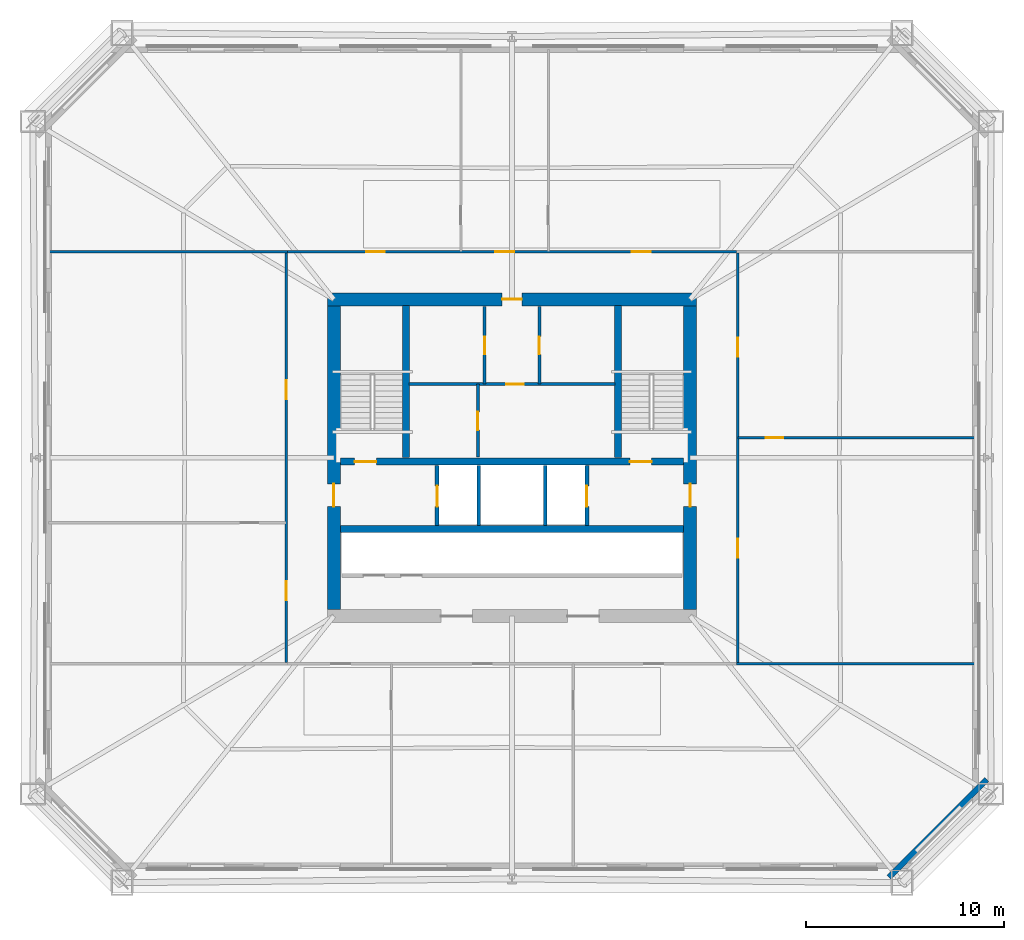
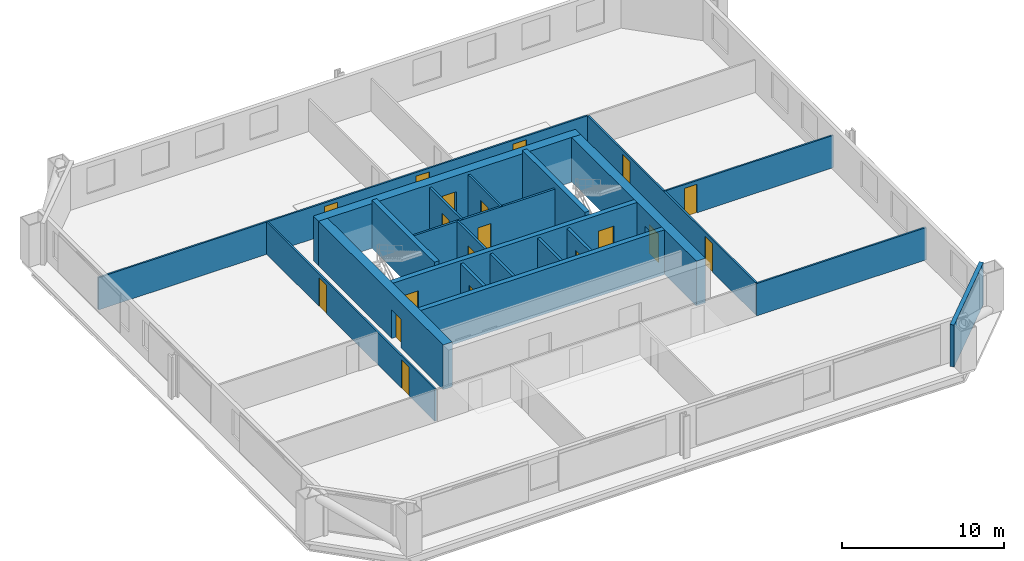
# One storey, part 3 of 7: 22 walls, 19 doors, 19 openings.
"""IFC4 building model written with IfcOpenShell, lengths in metres."""

from ifc_helpers import new_model, si_unit, direction, frame, frame_2d, origin, place, context, subcontext, project, spatial, rectangle, extrude, material, layer, layer_set, type_object, element, fill, save


model = new_model("IFC4")

# Units and contexts
model_context = context("Model", 3, precision=1e-05, world=origin(), true_north=direction((0.0, 1.0)))
body_context = subcontext(model_context, "Body", "Model", "MODEL_VIEW")
ifc_project = project(units=[si_unit("LENGTHUNIT", "METRE"), si_unit("AREAUNIT", "SQUARE_METRE"), si_unit("VOLUMEUNIT", "CUBIC_METRE"), si_unit("PLANEANGLEUNIT", "RADIAN"), si_unit("MASSUNIT", "GRAM", prefix="KILO")], contexts=[model_context])

# Site, building, storey
site_placement = place(None, origin())
site = spatial("IfcSite", under=ifc_project, at=site_placement, CompositionType="ELEMENT")
building_placement = place(site_placement, origin())
building = spatial("IfcBuilding", under=site, at=building_placement, Name="Caelvoria Tower", CompositionType="ELEMENT")
storey_placement = place(building_placement, frame((0.0, 0.0, 31.60009765625)))
storey = spatial("IfcBuildingStorey", under=building, at=storey_placement, Name="L07", CompositionType="ELEMENT", Elevation=31.60009765625)

# Wall, openings, doors
ifc_material_1 = material(Name="Concrete C50/60", Category="concrete")
ifc_layer_1 = layer(ifc_material_1, 0.35009765625, Name="Concrete C50/60")
ifc_layer_set_1 = layer_set([ifc_layer_1], Name="Core Internal Shear Wall 350 - Concrete C50/60")
wall_type_1 = type_object("IfcWallType", Name="Core Internal Shear Wall 350", PredefinedType="SHEAR", material=ifc_layer_set_1)
wall_1_placement = place(storey_placement, frame((37.324951171875, 31.800048828125, 0.0), z_axis=(0.0, 0.0, 1.0), x_axis=(1.0, 0.0, 0.0)))
wall_1 = element("IfcWall", 1, at=wall_1_placement, inside=storey, type_object=wall_type_1, Name="Core Shear Wall L07 M1", PredefinedType="SHEAR", context=body_context, shape_type="SweptSolid", body=[
    extrude(rectangle(XDim=17.35009765625, YDim=0.35009765625, at=frame_2d((8.675048828125, 0.0))), origin(), (0.0, 0.0, 1.0), 3.35986328125),
])
opening_1_placement = place(wall_1_placement, frame((0.72509765625, 0.0, 0.0)))
opening_1 = element("IfcOpeningElement", 2, at=opening_1_placement, cuts=wall_1, Name="Opening ID-01", PredefinedType="OPENING", context=body_context, shape_type="SweptSolid", body=[
    extrude(rectangle(XDim=1.10009765625, YDim=2.14990234375, at=frame_2d((0.550048828125, 1.074951171875))), frame((0.0, 0.18505859375, 0.0), z_axis=(0.0, -1.0, 0.0), x_axis=(1.0, 0.0, 0.0)), (0.0, 0.0, 1.0), 0.3701171875),
])
opening_2_placement = place(wall_1_placement, frame((14.625, 0.0, 0.0)))
opening_2 = element("IfcOpeningElement", 3, at=opening_2_placement, cuts=wall_1, Name="Opening ID-01", PredefinedType="OPENING", context=body_context, shape_type="SweptSolid", body=[
    extrude(rectangle(XDim=1.10009765625, YDim=2.14990234375, at=frame_2d((0.550048828125, 1.074951171875))), frame((0.0, 0.18505859375, 0.0), z_axis=(0.0, -1.0, 0.0), x_axis=(1.0, 0.0, 0.0)), (0.0, 0.0, 1.0), 0.3701171875),
])
ifc_material_2 = material(Name="Painted Hollow Steel Fire Door", Category="steel")
door_type_1 = type_object("IfcDoorType", Name="Fire Door FD90S 1100x2150", OperationType="NOTDEFINED", PredefinedType="DOOR", material=ifc_material_2)
door_1_placement = place(opening_1_placement, origin())
door_1 = element("IfcDoor", 4, at=door_1_placement, inside=storey, type_object=door_type_1, Name="Core Door DR-L07-ST1", OperationType="SINGLE_SWING_LEFT", OverallHeight=2.14990234375, OverallWidth=1.10009765625, PredefinedType="DOOR", context=body_context, shape_type="SweptSolid", body=[
    extrude(rectangle(XDim=1.10009765625, YDim=2.14990234375, at=frame_2d((0.550048828125, 1.074951171875))), frame((0.0, 0.02490234375, 0.0), z_axis=(0.0, -1.0, 0.0), x_axis=(1.0, 0.0, 0.0)), (0.0, 0.0, 1.0), 0.050048828125),
])
fill(opening_1, door_1)
door_2_placement = place(opening_2_placement, origin())
door_2 = element("IfcDoor", 5, at=door_2_placement, inside=storey, type_object=door_type_1, Name="Core Door DR-L07-ST2", OperationType="SINGLE_SWING_RIGHT", OverallHeight=2.14990234375, OverallWidth=1.10009765625, PredefinedType="DOOR", context=body_context, shape_type="SweptSolid", body=[
    extrude(rectangle(XDim=1.10009765625, YDim=2.14990234375, at=frame_2d((0.550048828125, 1.074951171875))), frame((0.0, 0.02490234375, 0.0), z_axis=(0.0, -1.0, 0.0), x_axis=(1.0, 0.0, 0.0)), (0.0, 0.0, 1.0), 0.050048828125),
])
fill(opening_2, door_2)

# Walls
wall_2_placement = place(storey_placement, frame((37.324951171875, 28.39990234375, 0.0), z_axis=(0.0, 0.0, 1.0), x_axis=(1.0, 0.0, 0.0)))
element("IfcWall", 6, at=wall_2_placement, inside=storey, type_object=wall_type_1, Name="Core Shear Wall L07 M2", PredefinedType="SHEAR", context=body_context, shape_type="SweptSolid", body=[
    extrude(rectangle(XDim=17.35009765625, YDim=0.35009765625, at=frame_2d((8.675048828125, 0.0))), origin(), (0.0, 0.0, 1.0), 3.35986328125),
])
for number, where, z_axis, x_axis, name in (
    (7, (40.64990234375, 32.0, 0.0), (0.0, 0.0, 1.0), (0.0, 1.0, 0.0), "Interior Partition IW-L07-ST1E"),
    (8, (51.35009765625, 32.0, 0.0), (0.0, 0.0, 1.0), (0.0, 1.0, 0.0), "Interior Partition IW-L07-ST2W"),
):
    element("IfcWall", number, at=place(storey_placement, frame(where, z_axis=z_axis, x_axis=x_axis)), inside=storey, type_object=wall_type_1, Name=name, PredefinedType="SHEAR", context=body_context, shape_type="SweptSolid", body=[
        extrude(rectangle(XDim=7.699951171875, YDim=0.35009765625, at=frame_2d((3.85009765625, 0.0))), origin(), (0.0, 0.0, 1.0), 3.599853515625),
    ])

# Wall, opening, door
ifc_material_3 = material(Name="Double Gypsum Board on Steel Stud", Category="steel")
ifc_layer_2 = layer(ifc_material_3, 0.14990234375, Name="Double Gypsum Board on Steel Stud")
ifc_layer_set_2 = layer_set([ifc_layer_2], Name="Core Service Acoustic Partition Wall 150 - Double Gypsum Board on Steel Stud")
wall_type_2 = type_object("IfcWallType", Name="Core Service Acoustic Partition Wall 150", PredefinedType="PARTITIONING", material=ifc_layer_set_2)
wall_3_placement = place(storey_placement, frame((44.6201171875, 35.719970703125, 0.0), z_axis=(0.0, 0.0, 1.0), x_axis=(0.0, 1.0, 0.0)))
wall_3 = element("IfcWall", 9, at=wall_3_placement, inside=storey, type_object=wall_type_2, Name="Interior Partition IW-L07-C0L", PredefinedType="PARTITIONING", context=body_context, shape_type="SweptSolid", body=[
    extrude(rectangle(XDim=3.929931640625, YDim=0.14990234375, at=frame_2d((1.96484375, 0.0))), origin(), (0.0, 0.0, 1.0), 3.14990234375),
])
opening_3_placement = place(wall_3_placement, frame((1.5, 0.0, 0.0)))
opening_3 = element("IfcOpeningElement", 10, at=opening_3_placement, cuts=wall_3, Name="Opening ID-06", PredefinedType="OPENING", context=body_context, shape_type="SweptSolid", body=[
    extrude(rectangle(XDim=0.89990234375, YDim=2.14990234375, at=frame_2d((0.449951171875, 1.074951171875))), frame((0.0, 0.0849609375, 0.0), z_axis=(0.0, -1.0, 0.0), x_axis=(1.0, 0.0, 0.0)), (0.0, 0.0, 1.0), 0.169921875),
])
ifc_material_4 = material(Name="Engineered Andean Oak Veneer Door", Category="wood")
door_type_2 = type_object("IfcDoorType", Name="Interior Timber Door 900x2150", OperationType="NOTDEFINED", PredefinedType="DOOR", material=ifc_material_4)
door_3_placement = place(opening_3_placement, origin())
door_3 = element("IfcDoor", 11, at=door_3_placement, inside=storey, type_object=door_type_2, Name="Interior Door DR-L07-C01", OperationType="SINGLE_SWING_LEFT", OverallHeight=2.14990234375, OverallWidth=0.89990234375, PredefinedType="DOOR", context=body_context, shape_type="SweptSolid", body=[
    extrude(rectangle(XDim=0.89990234375, YDim=2.14990234375, at=frame_2d((0.449951171875, 1.074951171875))), frame((0.0, 0.02490234375, 0.0), z_axis=(0.0, -1.0, 0.0), x_axis=(1.0, 0.0, 0.0)), (0.0, 0.0, 1.0), 0.050048828125),
])
fill(opening_3, door_3)

wall_4_placement = place(storey_placement, frame((47.3798828125, 35.719970703125, 0.0), z_axis=(0.0, 0.0, 1.0), x_axis=(0.0, 1.0, 0.0)))
wall_4 = element("IfcWall", 12, at=wall_4_placement, inside=storey, type_object=wall_type_2, Name="Interior Partition IW-L07-C0R", PredefinedType="PARTITIONING", context=body_context, shape_type="SweptSolid", body=[
    extrude(rectangle(XDim=3.929931640625, YDim=0.14990234375, at=frame_2d((1.96484375, 0.0))), origin(), (0.0, 0.0, 1.0), 3.14990234375),
])
opening_4_placement = place(wall_4_placement, frame((1.5, 0.0, 0.0)))
opening_4 = element("IfcOpeningElement", 13, at=opening_4_placement, cuts=wall_4, Name="Opening ID-06", PredefinedType="OPENING", context=body_context, shape_type="SweptSolid", body=[
    extrude(rectangle(XDim=0.89990234375, YDim=2.14990234375, at=frame_2d((0.449951171875, 1.074951171875))), frame((0.0, 0.0849609375, 0.0), z_axis=(0.0, -1.0, 0.0), x_axis=(1.0, 0.0, 0.0)), (0.0, 0.0, 1.0), 0.169921875),
])
door_4_placement = place(opening_4_placement, origin())
door_4 = element("IfcDoor", 14, at=door_4_placement, inside=storey, type_object=door_type_2, Name="Interior Door DR-L07-C02", OperationType="SINGLE_SWING_RIGHT", OverallHeight=2.14990234375, OverallWidth=0.89990234375, PredefinedType="DOOR", context=body_context, shape_type="SweptSolid", body=[
    extrude(rectangle(XDim=0.89990234375, YDim=2.14990234375, at=frame_2d((0.449951171875, 1.074951171875))), frame((0.0, 0.02490234375, 0.0), z_axis=(0.0, -1.0, 0.0), x_axis=(1.0, 0.0, 0.0)), (0.0, 0.0, 1.0), 0.050048828125),
])
fill(opening_4, door_4)

wall_5_placement = place(storey_placement, frame((44.280029296875, 32.050048828125, 0.0), z_axis=(0.0, 0.0, 1.0), x_axis=(0.0, 1.0, 0.0)))
wall_5 = element("IfcWall", 15, at=wall_5_placement, inside=storey, type_object=wall_type_2, Name="Interior Partition IW-L07-C0M", PredefinedType="PARTITIONING", context=body_context, shape_type="SweptSolid", body=[
    extrude(rectangle(XDim=3.669921875, YDim=0.14990234375, at=frame_2d((1.8349609375, 0.0))), origin(), (0.0, 0.0, 1.0), 3.14990234375),
])
opening_5_placement = place(wall_5_placement, frame((1.35009765625, 0.0, 0.0)))
opening_5 = element("IfcOpeningElement", 16, at=opening_5_placement, cuts=wall_5, Name="Opening ID-07", PredefinedType="OPENING", context=body_context, shape_type="SweptSolid", body=[
    extrude(rectangle(XDim=0.919921875, YDim=2.14990234375, at=frame_2d((0.4599609375, 1.074951171875))), frame((0.0, 0.0849609375, 0.0), z_axis=(0.0, -1.0, 0.0), x_axis=(1.0, 0.0, 0.0)), (0.0, 0.0, 1.0), 0.169921875),
])
ifc_material_5 = material(Name="Engineered Andean Oak Accessible Door", Category="wood")
door_type_3 = type_object("IfcDoorType", Name="Accessible WC Door 950x2150", OperationType="NOTDEFINED", PredefinedType="DOOR", material=ifc_material_5)
door_5_placement = place(opening_5_placement, origin())
door_5 = element("IfcDoor", 17, at=door_5_placement, inside=storey, type_object=door_type_3, Name="Interior Door DR-L07-C05", OperationType="SINGLE_SWING_LEFT", OverallHeight=2.14990234375, OverallWidth=0.919921875, PredefinedType="DOOR", context=body_context, shape_type="SweptSolid", body=[
    extrude(rectangle(XDim=0.919921875, YDim=2.14990234375, at=frame_2d((0.4599609375, 1.074951171875))), frame((0.0, 0.02490234375, 0.0), z_axis=(0.0, -1.0, 0.0), x_axis=(1.0, 0.0, 0.0)), (0.0, 0.0, 1.0), 0.050048828125),
])
fill(opening_5, door_5)

wall_6_placement = place(storey_placement, frame((40.800048828125, 35.719970703125, 0.0), z_axis=(0.0, 0.0, 1.0), x_axis=(1.0, 0.0, 0.0)))
wall_6 = element("IfcWall", 18, at=wall_6_placement, inside=storey, type_object=wall_type_2, Name="Interior Partition IW-L07-C0H", PredefinedType="PARTITIONING", context=body_context, shape_type="SweptSolid", body=[
    extrude(rectangle(XDim=10.39990234375, YDim=0.14990234375, at=frame_2d((5.199951171875, 0.0))), origin(), (0.0, 0.0, 1.0), 3.14990234375),
])
opening_6_placement = place(wall_6_placement, frame((4.89990234375, 0.0, 0.0)))
opening_6 = element("IfcOpeningElement", 19, at=opening_6_placement, cuts=wall_6, Name="Opening ID-04", PredefinedType="OPENING", context=body_context, shape_type="SweptSolid", body=[
    extrude(rectangle(XDim=0.89990234375, YDim=2.14990234375, at=frame_2d((0.449951171875, 1.074951171875))), frame((0.0, 0.0849609375, 0.0), z_axis=(0.0, -1.0, 0.0), x_axis=(1.0, 0.0, 0.0)), (0.0, 0.0, 1.0), 0.169921875),
])
ifc_material_6 = material(Name="Acoustic Timber Fire Door", Category="wood")
door_type_4 = type_object("IfcDoorType", Name="Fire Door FD30S 900x2150", OperationType="NOTDEFINED", PredefinedType="DOOR", material=ifc_material_6)
door_6_placement = place(opening_6_placement, origin())
door_6 = element("IfcDoor", 20, at=door_6_placement, inside=storey, type_object=door_type_4, Name="Interior Door DR-L07-C04", OperationType="SINGLE_SWING_RIGHT", OverallHeight=2.14990234375, OverallWidth=0.89990234375, PredefinedType="DOOR", context=body_context, shape_type="SweptSolid", body=[
    extrude(rectangle(XDim=0.89990234375, YDim=2.14990234375, at=frame_2d((0.449951171875, 1.074951171875))), frame((0.0, 0.02490234375, 0.0), z_axis=(0.0, -1.0, 0.0), x_axis=(1.0, 0.0, 0.0)), (0.0, 0.0, 1.0), 0.050048828125),
])
fill(opening_6, door_6)

# Walls
ifc_material_7 = material(Name="Precast Concrete C40/50 with Bronze Cladding", Category="concrete")
ifc_layer_3 = layer(ifc_material_7, 0.280029296875, Name="Precast Concrete C40/50 with Bronze Cladding")
ifc_layer_set_3 = layer_set([ifc_layer_3], Name="Exterior Precast Concrete C40/50 Bronze-Clad Facade Wall 280 - Precast Concrete C40/50 with Bronze Cladding")
wall_type_3 = type_object("IfcWallType", Name="Exterior Precast Concrete C40/50 Bronze-Clad Facade Wall 280", PredefinedType="STANDARD", material=ifc_layer_set_3)
wall_7_placement = place(storey_placement, frame((65.054443359375, 10.80615234375, 0.0), z_axis=(0.0, 0.0, 1.0), x_axis=(0.707106781187, 0.707106781187, 0.0)))
element("IfcWall", 21, at=wall_7_placement, inside=storey, type_object=wall_type_3, Name="Exterior Facade Wall L07-E1", PredefinedType="STANDARD", context=body_context, shape_type="SweptSolid", body=[
    extrude(rectangle(XDim=6.9853515625, YDim=0.280029296875, at=frame_2d((3.49267578125, 0.0))), origin(), (0.0, 0.0, 1.0), 3.14990234375),
])
ifc_material_8 = material(Name="Concrete Block and Fireboard Assembly", Category="concrete")
ifc_layer_4 = layer(ifc_material_8, 0.179931640625, Name="Concrete Block and Fireboard Assembly")
ifc_layer_set_4 = layer_set([ifc_layer_4], Name="Fire-Rated Hoistway Partition Wall 180 - Concrete Block and Fireboard Assembly")
wall_type_4 = type_object("IfcWallType", Name="Fire-Rated Hoistway Partition Wall 180", PredefinedType="PARTITIONING", material=ifc_layer_set_4)
for number, where, z_axis, x_axis, name in (
    (22, (44.320068359375, 28.580078125, 0.0), (0.0, 0.0, 1.0), (0.0, 1.0, 0.0), "Interior Partition IW-L07-SV1W"),
    (23, (47.679931640625, 28.580078125, 0.0), (0.0, 0.0, 1.0), (0.0, 1.0, 0.0), "Interior Partition IW-L07-SV1E"),
):
    element("IfcWall", number, at=place(storey_placement, frame(where, z_axis=z_axis, x_axis=x_axis)), inside=storey, type_object=wall_type_4, Name=name, PredefinedType="PARTITIONING", context=body_context, shape_type="SweptSolid", body=[
        extrude(rectangle(XDim=3.0400390625, YDim=0.179931640625, at=frame_2d((1.52001953125, 0.0))), origin(), (0.0, 0.0, 1.0), 3.14990234375),
    ])

# Wall, opening, door
ifc_layer_5 = layer(ifc_material_8, 0.199951171875, Name="Concrete Block and Fireboard Assembly")
ifc_layer_set_5 = layer_set([ifc_layer_5], Name="Fire-Rated Shaft and Core Partition Wall 200 - Concrete Block and Fireboard Assembly")
wall_type_5 = type_object("IfcWallType", Name="Fire-Rated Shaft and Core Partition Wall 200", PredefinedType="PARTITIONING", material=ifc_layer_set_5)
wall_8_placement = place(storey_placement, frame((42.219970703125, 28.580078125, 0.0), z_axis=(0.0, 0.0, 1.0), x_axis=(0.0, 1.0, 0.0)))
wall_8 = element("IfcWall", 24, at=wall_8_placement, inside=storey, type_object=wall_type_5, Name="Interior Partition IW-L07-LF1W", PredefinedType="PARTITIONING", context=body_context, shape_type="SweptSolid", body=[
    extrude(rectangle(XDim=3.0400390625, YDim=0.199951171875, at=frame_2d((1.52001953125, 0.0))), origin(), (0.0, 0.0, 1.0), 3.14990234375),
])
opening_7_placement = place(wall_8_placement, frame((0.949951171875, 0.0, 0.0)))
opening_7 = element("IfcOpeningElement", 25, at=opening_7_placement, cuts=wall_8, Name="Opening LD-01", PredefinedType="OPENING", context=body_context, shape_type="SweptSolid", body=[
    extrude(rectangle(XDim=1.050048828125, YDim=2.14990234375, at=frame_2d((0.52490234375, 1.074951171875))), frame((0.0, 0.10986328125, 0.0), z_axis=(0.0, -1.0, 0.0), x_axis=(1.0, 0.0, 0.0)), (0.0, 0.0, 1.0), 0.219970703125),
])
ifc_material_9 = material(Name="Brushed Bronze Stainless Sliding Landing Door", Category="aluminium")
door_type_5 = type_object("IfcDoorType", Name="Lift Landing Sliding Door 1100x2150", OperationType="NOTDEFINED", PredefinedType="DOOR", material=ifc_material_9)
door_7_placement = place(opening_7_placement, origin())
door_7 = element("IfcDoor", 26, at=door_7_placement, inside=storey, type_object=door_type_5, Name="Interior Door LD-L07-LF1", OperationType="SLIDING_TO_LEFT", OverallHeight=2.14990234375, OverallWidth=1.050048828125, PredefinedType="DOOR", context=body_context, shape_type="SweptSolid", body=[
    extrude(rectangle(XDim=1.050048828125, YDim=2.14990234375, at=frame_2d((0.52490234375, 1.074951171875))), frame((0.0, 0.02490234375, 0.0), z_axis=(0.0, -1.0, 0.0), x_axis=(1.0, 0.0, 0.0)), (0.0, 0.0, 1.0), 0.050048828125),
])
fill(opening_7, door_7)

wall_9_placement = place(storey_placement, frame((49.780029296875, 28.580078125, 0.0), z_axis=(0.0, 0.0, 1.0), x_axis=(0.0, 1.0, 0.0)))
wall_9 = element("IfcWall", 27, at=wall_9_placement, inside=storey, type_object=wall_type_5, Name="Interior Partition IW-L07-LF2E", PredefinedType="PARTITIONING", context=body_context, shape_type="SweptSolid", body=[
    extrude(rectangle(XDim=3.0400390625, YDim=0.199951171875, at=frame_2d((1.52001953125, 0.0))), origin(), (0.0, 0.0, 1.0), 3.14990234375),
])
opening_8_placement = place(wall_9_placement, frame((0.949951171875, 0.0, 0.0)))
opening_8 = element("IfcOpeningElement", 28, at=opening_8_placement, cuts=wall_9, Name="Opening LD-01", PredefinedType="OPENING", context=body_context, shape_type="SweptSolid", body=[
    extrude(rectangle(XDim=1.050048828125, YDim=2.14990234375, at=frame_2d((0.52490234375, 1.074951171875))), frame((0.0, 0.10986328125, 0.0), z_axis=(0.0, -1.0, 0.0), x_axis=(1.0, 0.0, 0.0)), (0.0, 0.0, 1.0), 0.219970703125),
])
door_8_placement = place(opening_8_placement, origin())
door_8 = element("IfcDoor", 29, at=door_8_placement, inside=storey, type_object=door_type_5, Name="Interior Door LD-L07-LF2", OperationType="SLIDING_TO_RIGHT", OverallHeight=2.14990234375, OverallWidth=1.050048828125, PredefinedType="DOOR", context=body_context, shape_type="SweptSolid", body=[
    extrude(rectangle(XDim=1.050048828125, YDim=2.14990234375, at=frame_2d((0.52490234375, 1.074951171875))), frame((0.0, 0.02490234375, 0.0), z_axis=(0.0, -1.0, 0.0), x_axis=(1.0, 0.0, 0.0)), (0.0, 0.0, 1.0), 0.050048828125),
])
fill(opening_8, door_8)

ifc_material_10 = material(Name="Concrete C60/75", Category="concrete")
ifc_layer_6 = layer(ifc_material_10, 0.64990234375, Name="Concrete C60/75")
ifc_layer_set_6 = layer_set([ifc_layer_6], Name="Lower Core Shear Wall 650 - Concrete C60/75")
wall_type_6 = type_object("IfcWallType", Name="Lower Core Shear Wall 650", PredefinedType="SHEAR", material=ifc_layer_set_6)
wall_10_placement = place(storey_placement, frame((36.675048828125, 40.0, 0.0), z_axis=(0.0, 0.0, 1.0), x_axis=(1.0, 0.0, 0.0)))
wall_10 = element("IfcWall", 30, at=wall_10_placement, inside=storey, type_object=wall_type_6, Name="Core Shear Wall L07 N", PredefinedType="SHEAR", context=body_context, shape_type="SweptSolid", body=[
    extrude(rectangle(XDim=18.64990234375, YDim=0.64990234375, at=frame_2d((9.324951171875, 0.0))), origin(), (0.0, 0.0, 1.0), 3.35986328125),
])
opening_9_placement = place(wall_10_placement, frame((8.824951171875, 0.0, 0.0)))
opening_9 = element("IfcOpeningElement", 31, at=opening_9_placement, cuts=wall_10, Name="Opening ID-03", PredefinedType="OPENING", context=body_context, shape_type="SweptSolid", body=[
    extrude(rectangle(XDim=1.0, YDim=2.14990234375, at=frame_2d((0.5, 1.074951171875))), frame((0.0, 0.3349609375, 0.0), z_axis=(0.0, -1.0, 0.0), x_axis=(1.0, 0.0, 0.0)), (0.0, 0.0, 1.0), 0.669921875),
])
door_type_6 = type_object("IfcDoorType", Name="Fire Door FD60S 1000x2150", OperationType="NOTDEFINED", PredefinedType="DOOR", material=ifc_material_2)
door_9_placement = place(opening_9_placement, origin())
door_9 = element("IfcDoor", 32, at=door_9_placement, inside=storey, type_object=door_type_6, Name="Core Door DR-L07-WC-MAIN", OperationType="SINGLE_SWING_RIGHT", OverallHeight=2.14990234375, OverallWidth=1.0, PredefinedType="DOOR", context=body_context, shape_type="SweptSolid", body=[
    extrude(rectangle(XDim=1.0, YDim=2.14990234375, at=frame_2d((0.5, 1.074951171875))), frame((0.0, 0.02490234375, 0.0), z_axis=(0.0, -1.0, 0.0), x_axis=(1.0, 0.0, 0.0)), (0.0, 0.0, 1.0), 0.050048828125),
])
fill(opening_9, door_9)

wall_11_placement = place(storey_placement, frame((37.0, 24.324951171875, 0.0), z_axis=(0.0, 0.0, 1.0), x_axis=(0.0, 1.0, 0.0)))
wall_11 = element("IfcWall", 33, at=wall_11_placement, inside=storey, type_object=wall_type_6, Name="Core Shear Wall L07 W", PredefinedType="SHEAR", context=body_context, shape_type="SweptSolid", body=[
    extrude(rectangle(XDim=15.35009765625, YDim=0.64990234375, at=frame_2d((7.675048828125, 0.0))), origin(), (0.0, 0.0, 1.0), 3.35986328125),
])
opening_10_placement = place(wall_11_placement, frame((5.199951171875, 0.0, 0.0)))
opening_10 = element("IfcOpeningElement", 34, at=opening_10_placement, cuts=wall_11, Name="Opening ID-02", PredefinedType="OPENING", context=body_context, shape_type="SweptSolid", body=[
    extrude(rectangle(XDim=1.14990234375, YDim=2.14990234375, at=frame_2d((0.574951171875, 1.074951171875))), frame((0.0, 0.3349609375, 0.0), z_axis=(0.0, -1.0, 0.0), x_axis=(1.0, 0.0, 0.0)), (0.0, 0.0, 1.0), 0.669921875),
])
door_type_7 = type_object("IfcDoorType", Name="Fire Door FD60S 1150x2150", OperationType="NOTDEFINED", PredefinedType="DOOR", material=ifc_material_2)
door_10_placement = place(opening_10_placement, origin())
door_10 = element("IfcDoor", 35, at=door_10_placement, inside=storey, type_object=door_type_7, Name="Core Door DR-L07-FFLW-OUT", OperationType="SINGLE_SWING_LEFT", OverallHeight=2.14990234375, OverallWidth=1.14990234375, PredefinedType="DOOR", context=body_context, shape_type="SweptSolid", body=[
    extrude(rectangle(XDim=1.14990234375, YDim=2.14990234375, at=frame_2d((0.574951171875, 1.074951171875))), frame((0.0, 0.02490234375, 0.0), z_axis=(0.0, -1.0, 0.0), x_axis=(1.0, 0.0, 0.0)), (0.0, 0.0, 1.0), 0.050048828125),
])
fill(opening_10, door_10)

wall_12_placement = place(storey_placement, frame((55.0, 24.324951171875, 0.0), z_axis=(0.0, 0.0, 1.0), x_axis=(0.0, 1.0, 0.0)))
wall_12 = element("IfcWall", 36, at=wall_12_placement, inside=storey, type_object=wall_type_6, Name="Core Shear Wall L07 E", PredefinedType="SHEAR", context=body_context, shape_type="SweptSolid", body=[
    extrude(rectangle(XDim=15.35009765625, YDim=0.64990234375, at=frame_2d((7.675048828125, 0.0))), origin(), (0.0, 0.0, 1.0), 3.35986328125),
])
opening_11_placement = place(wall_12_placement, frame((5.199951171875, 0.0, 0.0)))
opening_11 = element("IfcOpeningElement", 37, at=opening_11_placement, cuts=wall_12, Name="Opening ID-02", PredefinedType="OPENING", context=body_context, shape_type="SweptSolid", body=[
    extrude(rectangle(XDim=1.14990234375, YDim=2.14990234375, at=frame_2d((0.574951171875, 1.074951171875))), frame((0.0, 0.3349609375, 0.0), z_axis=(0.0, -1.0, 0.0), x_axis=(1.0, 0.0, 0.0)), (0.0, 0.0, 1.0), 0.669921875),
])
door_11_placement = place(opening_11_placement, origin())
door_11 = element("IfcDoor", 38, at=door_11_placement, inside=storey, type_object=door_type_7, Name="Core Door DR-L07-FFLE-OUT", OperationType="SINGLE_SWING_RIGHT", OverallHeight=2.14990234375, OverallWidth=1.14990234375, PredefinedType="DOOR", context=body_context, shape_type="SweptSolid", body=[
    extrude(rectangle(XDim=1.14990234375, YDim=2.14990234375, at=frame_2d((0.574951171875, 1.074951171875))), frame((0.0, 0.02490234375, 0.0), z_axis=(0.0, -1.0, 0.0), x_axis=(1.0, 0.0, 0.0)), (0.0, 0.0, 1.0), 0.050048828125),
])
fill(opening_11, door_11)

# Wall, openings, doors
ifc_material_11 = material(Name="Acoustic Gypsum Board on Light-Gauge Stud", Category="gypsum")
ifc_layer_7 = layer(ifc_material_11, 0.1201171875, Name="Acoustic Gypsum Board on Light-Gauge Stud")
ifc_layer_set_7 = layer_set([ifc_layer_7], Name="Tenant Suite Acoustic Partition Wall 120 - Acoustic Gypsum Board on Light-Gauge Stud")
wall_type_7 = type_object("IfcWallType", Name="Tenant Suite Acoustic Partition Wall 120", PredefinedType="PARTITIONING", material=ifc_layer_set_7)
wall_13_placement = place(storey_placement, frame((34.64990234375, 42.409912109375, 0.0), z_axis=(0.0, 0.0, 1.0), x_axis=(1.0, 0.0, 0.0)))
wall_13 = element("IfcWall", 39, at=wall_13_placement, inside=storey, type_object=wall_type_7, Name="Interior Partition IW-L07-NCW-0", PredefinedType="PARTITIONING", context=body_context, shape_type="SweptSolid", body=[
    extrude(rectangle(XDim=22.7001953125, YDim=0.1201171875, at=frame_2d((11.35009765625, 0.0))), origin(), (0.0, 0.0, 1.0), 2.429931640625),
])
opening_12_placement = place(wall_13_placement, frame((3.98095703125, 0.0, 0.0)))
opening_12 = element("IfcOpeningElement", 40, at=opening_12_placement, cuts=wall_13, Name="Opening ID-05", PredefinedType="OPENING", context=body_context, shape_type="SweptSolid", body=[
    extrude(rectangle(XDim=0.949951171875, YDim=2.14990234375, at=frame_2d((0.47509765625, 1.074951171875))), frame((0.0, 0.070068359375, 0.0), z_axis=(0.0, -1.0, 0.0), x_axis=(1.0, 0.0, 0.0)), (0.0, 0.0, 1.0), 0.14013671875),
])
opening_13_placement = place(wall_13_placement, frame((10.5078125, 0.0, 0.0)))
opening_13 = element("IfcOpeningElement", 41, at=opening_13_placement, cuts=wall_13, Name="Opening ID-05", PredefinedType="OPENING", context=body_context, shape_type="SweptSolid", body=[
    extrude(rectangle(XDim=0.949951171875, YDim=2.14990234375, at=frame_2d((0.47509765625, 1.074951171875))), frame((0.0, 0.070068359375, 0.0), z_axis=(0.0, -1.0, 0.0), x_axis=(1.0, 0.0, 0.0)), (0.0, 0.0, 1.0), 0.14013671875),
])
opening_14_placement = place(wall_13_placement, frame((17.40185546875, 0.0, 0.0)))
opening_14 = element("IfcOpeningElement", 42, at=opening_14_placement, cuts=wall_13, Name="Opening ID-05", PredefinedType="OPENING", context=body_context, shape_type="SweptSolid", body=[
    extrude(rectangle(XDim=0.949951171875, YDim=2.14990234375, at=frame_2d((0.47509765625, 1.074951171875))), frame((0.0, 0.070068359375, 0.0), z_axis=(0.0, -1.0, 0.0), x_axis=(1.0, 0.0, 0.0)), (0.0, 0.0, 1.0), 0.14013671875),
])
door_type_8 = type_object("IfcDoorType", Name="Interior Timber Door 950x2150", OperationType="NOTDEFINED", PredefinedType="DOOR", material=ifc_material_4)
door_12_placement = place(opening_12_placement, origin())
door_12 = element("IfcDoor", 43, at=door_12_placement, inside=storey, type_object=door_type_8, Name="Interior Door DR-L07-NC-00-0", OperationType="SINGLE_SWING_RIGHT", OverallHeight=2.14990234375, OverallWidth=0.949951171875, PredefinedType="DOOR", context=body_context, shape_type="SweptSolid", body=[
    extrude(rectangle(XDim=0.949951171875, YDim=2.14990234375, at=frame_2d((0.47509765625, 1.074951171875))), frame((0.0, 0.02490234375, 0.0), z_axis=(0.0, -1.0, 0.0), x_axis=(1.0, 0.0, 0.0)), (0.0, 0.0, 1.0), 0.050048828125),
])
fill(opening_12, door_12)
door_13_placement = place(opening_13_placement, origin())
door_13 = element("IfcDoor", 44, at=door_13_placement, inside=storey, type_object=door_type_8, Name="Interior Door DR-L07-NC-01-0", OperationType="SINGLE_SWING_LEFT", OverallHeight=2.14990234375, OverallWidth=0.949951171875, PredefinedType="DOOR", context=body_context, shape_type="SweptSolid", body=[
    extrude(rectangle(XDim=0.949951171875, YDim=2.14990234375, at=frame_2d((0.47509765625, 1.074951171875))), frame((0.0, 0.02490234375, 0.0), z_axis=(0.0, -1.0, 0.0), x_axis=(1.0, 0.0, 0.0)), (0.0, 0.0, 1.0), 0.050048828125),
])
fill(opening_13, door_13)
door_14_placement = place(opening_14_placement, origin())
door_14 = element("IfcDoor", 45, at=door_14_placement, inside=storey, type_object=door_type_8, Name="Interior Door DR-L07-NC-02-0", OperationType="SINGLE_SWING_RIGHT", OverallHeight=2.14990234375, OverallWidth=0.949951171875, PredefinedType="DOOR", context=body_context, shape_type="SweptSolid", body=[
    extrude(rectangle(XDim=0.949951171875, YDim=2.14990234375, at=frame_2d((0.47509765625, 1.074951171875))), frame((0.0, 0.02490234375, 0.0), z_axis=(0.0, -1.0, 0.0), x_axis=(1.0, 0.0, 0.0)), (0.0, 0.0, 1.0), 0.050048828125),
])
fill(opening_14, door_14)

wall_14_placement = place(storey_placement, frame((34.590087890625, 21.64990234375, 0.0), z_axis=(0.0, 0.0, 1.0), x_axis=(0.0, 1.0, 0.0)))
wall_14 = element("IfcWall", 46, at=wall_14_placement, inside=storey, type_object=wall_type_7, Name="Interior Partition IW-L07-WCW-0", PredefinedType="PARTITIONING", context=body_context, shape_type="SweptSolid", body=[
    extrude(rectangle(XDim=20.7001953125, YDim=0.1201171875, at=frame_2d((10.35009765625, 0.0))), origin(), (0.0, 0.0, 1.0), 2.429931640625),
])
opening_15_placement = place(wall_14_placement, frame((3.1611328125, 0.0, 0.0)))
opening_15 = element("IfcOpeningElement", 47, at=opening_15_placement, cuts=wall_14, Name="Opening ID-05", PredefinedType="OPENING", context=body_context, shape_type="SweptSolid", body=[
    extrude(rectangle(XDim=0.949951171875, YDim=2.14990234375, at=frame_2d((0.47509765625, 1.074951171875))), frame((0.0, 0.070068359375, 0.0), z_axis=(0.0, -1.0, 0.0), x_axis=(1.0, 0.0, 0.0)), (0.0, 0.0, 1.0), 0.14013671875),
])
opening_16_placement = place(wall_14_placement, frame((13.31103515625, 0.0, 0.0)))
opening_16 = element("IfcOpeningElement", 48, at=opening_16_placement, cuts=wall_14, Name="Opening ID-05", PredefinedType="OPENING", context=body_context, shape_type="SweptSolid", body=[
    extrude(rectangle(XDim=0.949951171875, YDim=2.14990234375, at=frame_2d((0.47509765625, 1.074951171875))), frame((0.0, 0.070068359375, 0.0), z_axis=(0.0, -1.0, 0.0), x_axis=(1.0, 0.0, 0.0)), (0.0, 0.0, 1.0), 0.14013671875),
])
door_15_placement = place(opening_15_placement, origin())
door_15 = element("IfcDoor", 49, at=door_15_placement, inside=storey, type_object=door_type_8, Name="Interior Door DR-L07-WC-00-0", OperationType="SINGLE_SWING_RIGHT", OverallHeight=2.14990234375, OverallWidth=0.949951171875, PredefinedType="DOOR", context=body_context, shape_type="SweptSolid", body=[
    extrude(rectangle(XDim=0.949951171875, YDim=2.14990234375, at=frame_2d((0.47509765625, 1.074951171875))), frame((0.0, 0.02490234375, 0.0), z_axis=(0.0, -1.0, 0.0), x_axis=(1.0, 0.0, 0.0)), (0.0, 0.0, 1.0), 0.050048828125),
])
fill(opening_15, door_15)
door_16_placement = place(opening_16_placement, origin())
door_16 = element("IfcDoor", 50, at=door_16_placement, inside=storey, type_object=door_type_8, Name="Interior Door DR-L07-WC-01-0", OperationType="SINGLE_SWING_LEFT", OverallHeight=2.14990234375, OverallWidth=0.949951171875, PredefinedType="DOOR", context=body_context, shape_type="SweptSolid", body=[
    extrude(rectangle(XDim=0.949951171875, YDim=2.14990234375, at=frame_2d((0.47509765625, 1.074951171875))), frame((0.0, 0.02490234375, 0.0), z_axis=(0.0, -1.0, 0.0), x_axis=(1.0, 0.0, 0.0)), (0.0, 0.0, 1.0), 0.050048828125),
])
fill(opening_16, door_16)

# Wall, opening, door
wall_15_placement = place(storey_placement, frame((57.409912109375, 33.01904296875, 0.0), z_axis=(0.0, 0.0, 1.0), x_axis=(1.0, 0.0, 0.0)))
wall_15 = element("IfcWall", 51, at=wall_15_placement, inside=storey, type_object=wall_type_7, Name="Interior Partition IW-L07-ED-00-0", PredefinedType="PARTITIONING", context=body_context, shape_type="SweptSolid", body=[
    extrude(rectangle(XDim=12.010009765625, YDim=0.1201171875, at=frame_2d((6.0048828125, 0.0))), origin(), (0.0, 0.0, 1.0), 2.429931640625),
])
opening_17_placement = place(wall_15_placement, frame((1.39990234375, 0.0, 0.0)))
opening_17 = element("IfcOpeningElement", 52, at=opening_17_placement, cuts=wall_15, Name="Opening ID-06", PredefinedType="OPENING", context=body_context, shape_type="SweptSolid", body=[
    extrude(rectangle(XDim=0.89990234375, YDim=2.14990234375, at=frame_2d((0.449951171875, 1.074951171875))), frame((0.0, 0.070068359375, 0.0), z_axis=(0.0, -1.0, 0.0), x_axis=(1.0, 0.0, 0.0)), (0.0, 0.0, 1.0), 0.14013671875),
])
door_17_placement = place(opening_17_placement, origin())
door_17 = element("IfcDoor", 53, at=door_17_placement, inside=storey, type_object=door_type_2, Name="Interior Door DR-L07-EM-00-0", OperationType="SINGLE_SWING_RIGHT", OverallHeight=2.14990234375, OverallWidth=0.89990234375, PredefinedType="DOOR", context=body_context, shape_type="SweptSolid", body=[
    extrude(rectangle(XDim=0.89990234375, YDim=2.14990234375, at=frame_2d((0.449951171875, 1.074951171875))), frame((0.0, 0.02490234375, 0.0), z_axis=(0.0, -1.0, 0.0), x_axis=(1.0, 0.0, 0.0)), (0.0, 0.0, 1.0), 0.050048828125),
])
fill(opening_17, door_17)

# Wall, openings, doors
wall_16_placement = place(storey_placement, frame((57.409912109375, 21.64990234375, 0.0), z_axis=(0.0, 0.0, 1.0), x_axis=(0.0, 1.0, 0.0)))
wall_16 = element("IfcWall", 54, at=wall_16_placement, inside=storey, type_object=wall_type_7, Name="Interior Partition IW-L07-ECW-0", PredefinedType="PARTITIONING", context=body_context, shape_type="SweptSolid", body=[
    extrude(rectangle(XDim=20.7001953125, YDim=0.1201171875, at=frame_2d((10.35009765625, 0.0))), origin(), (0.0, 0.0, 1.0), 2.429931640625),
])
opening_18_placement = place(wall_16_placement, frame((5.3095703125, 0.0, 0.0)))
opening_18 = element("IfcOpeningElement", 55, at=opening_18_placement, cuts=wall_16, Name="Opening ID-05", PredefinedType="OPENING", context=body_context, shape_type="SweptSolid", body=[
    extrude(rectangle(XDim=0.949951171875, YDim=2.14990234375, at=frame_2d((0.47509765625, 1.074951171875))), frame((0.0, 0.070068359375, 0.0), z_axis=(0.0, -1.0, 0.0), x_axis=(1.0, 0.0, 0.0)), (0.0, 0.0, 1.0), 0.14013671875),
])
opening_19_placement = place(wall_16_placement, frame((15.45947265625, 0.0, 0.0)))
opening_19 = element("IfcOpeningElement", 56, at=opening_19_placement, cuts=wall_16, Name="Opening ID-05", PredefinedType="OPENING", context=body_context, shape_type="SweptSolid", body=[
    extrude(rectangle(XDim=0.949951171875, YDim=2.14990234375, at=frame_2d((0.47509765625, 1.074951171875))), frame((0.0, 0.070068359375, 0.0), z_axis=(0.0, -1.0, 0.0), x_axis=(1.0, 0.0, 0.0)), (0.0, 0.0, 1.0), 0.14013671875),
])
door_18_placement = place(opening_18_placement, origin())
door_18 = element("IfcDoor", 57, at=door_18_placement, inside=storey, type_object=door_type_8, Name="Interior Door DR-L07-EC-00-0", OperationType="SINGLE_SWING_RIGHT", OverallHeight=2.14990234375, OverallWidth=0.949951171875, PredefinedType="DOOR", context=body_context, shape_type="SweptSolid", body=[
    extrude(rectangle(XDim=0.949951171875, YDim=2.14990234375, at=frame_2d((0.47509765625, 1.074951171875))), frame((0.0, 0.02490234375, 0.0), z_axis=(0.0, -1.0, 0.0), x_axis=(1.0, 0.0, 0.0)), (0.0, 0.0, 1.0), 0.050048828125),
])
fill(opening_18, door_18)
door_19_placement = place(opening_19_placement, origin())
door_19 = element("IfcDoor", 58, at=door_19_placement, inside=storey, type_object=door_type_8, Name="Interior Door DR-L07-EC-01-0", OperationType="SINGLE_SWING_LEFT", OverallHeight=2.14990234375, OverallWidth=0.949951171875, PredefinedType="DOOR", context=body_context, shape_type="SweptSolid", body=[
    extrude(rectangle(XDim=0.949951171875, YDim=2.14990234375, at=frame_2d((0.47509765625, 1.074951171875))), frame((0.0, 0.02490234375, 0.0), z_axis=(0.0, -1.0, 0.0), x_axis=(1.0, 0.0, 0.0)), (0.0, 0.0, 1.0), 0.050048828125),
])
fill(opening_19, door_19)

# Walls
for number, where, z_axis, x_axis, name in (
    (59, (57.35009765625, 21.590087890625, 0.0), (0.0, 0.0, 1.0), (1.0, 0.0, 0.0), "Interior Partition IW-L07-BSE-0"),
    (60, (34.64990234375, 42.409912109375, 0.0), (0.0, 0.0, 1.0), (-1.0, 0.0, 0.0), "Interior Partition IW-L07-BNW-0"),
):
    element("IfcWall", number, at=place(storey_placement, frame(where, z_axis=z_axis, x_axis=x_axis)), inside=storey, type_object=wall_type_7, Name=name, PredefinedType="PARTITIONING", context=body_context, shape_type="SweptSolid", body=[
        extrude(rectangle(XDim=12.06982421875, YDim=0.1201171875, at=frame_2d((6.034912109375, 0.0))), origin(), (0.0, 0.0, 1.0), 2.429931640625),
    ])

save(model, "model.ifc")
